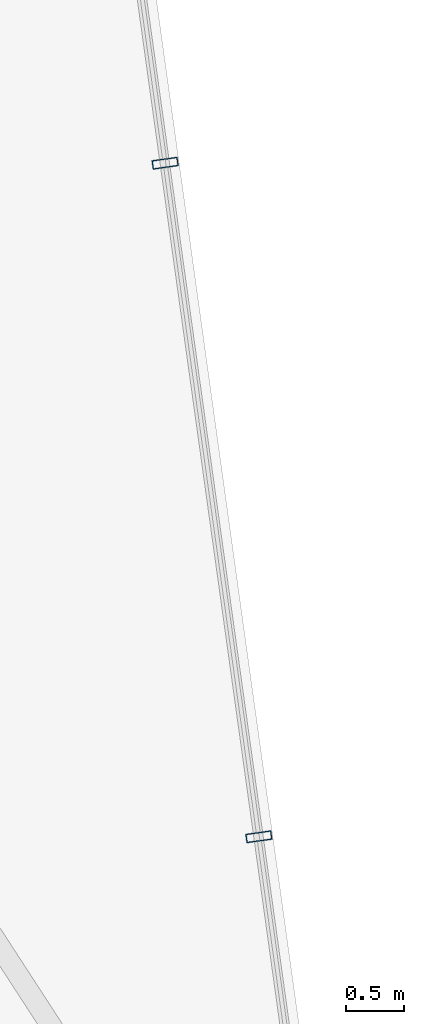
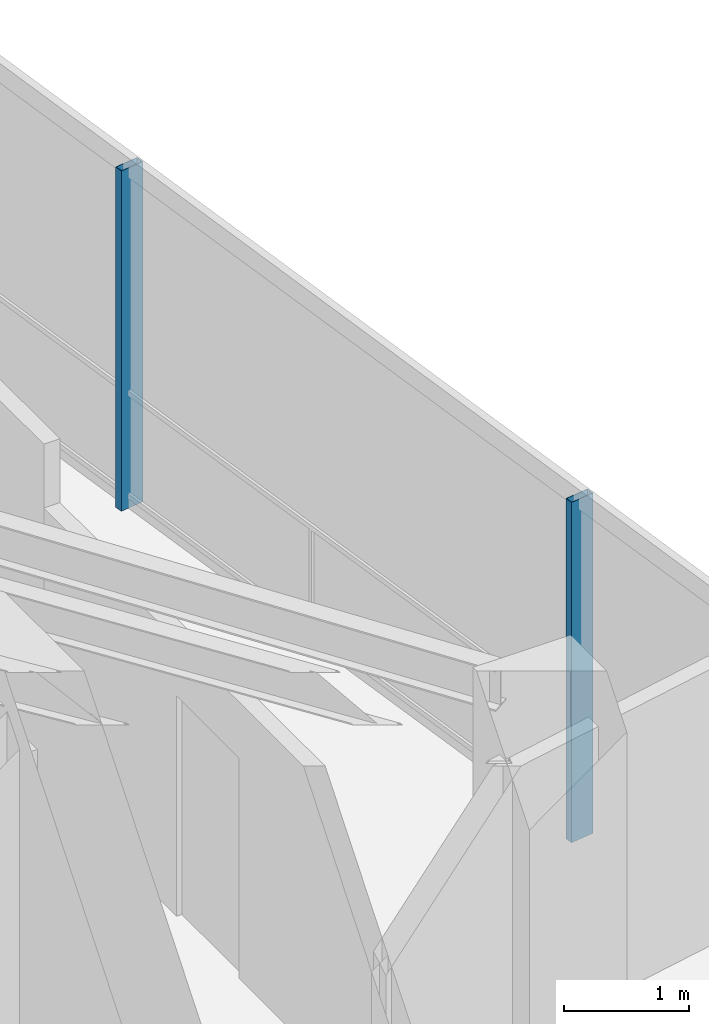
# One storey, part 11 of 19: 2 members, 1 element without a shape of its own.
"""IFC4 building model written with IfcOpenShell, lengths in metres."""

from ifc_helpers import new_model, si_unit, direction, frame, origin, origin_2d, place, context, subcontext, project, spatial, hollow_rectangle, extrude, material, layer, layer_set, material_profile, profile_set, type_object, element, aggregate, save


model = new_model("IFC4")

# Units and contexts
model_context = context("Model", 3, precision=1e-05, world=origin(), true_north=direction((0.0, 1.0)))
body_context = subcontext(model_context, "Body", "Model", "MODEL_VIEW")
ifc_project = project(units=[si_unit("LENGTHUNIT", "METRE"), si_unit("AREAUNIT", "SQUARE_METRE"), si_unit("VOLUMEUNIT", "CUBIC_METRE"), si_unit("PLANEANGLEUNIT", "RADIAN"), si_unit("MASSUNIT", "GRAM", prefix="KILO")], contexts=[model_context])

# Site, building, storey
site_placement = place(None, origin())
site = spatial("IfcSite", under=ifc_project, at=site_placement, CompositionType="ELEMENT")
building_placement = place(site_placement, origin())
building = spatial("IfcBuilding", under=site, at=building_placement, Name="Qarnah Convention Tower", CompositionType="ELEMENT")
storey_placement = place(building_placement, frame((0.0, 0.0, 209.39990234375)))
storey = spatial("IfcBuildingStorey", under=building, at=storey_placement, Name="L56", CompositionType="ELEMENT", Elevation=209.39990234375)

# Curtain wall, members
ifc_material_1 = material(Name="Tempered Low-E dark glass", Category="glass")
ifc_layer = layer(ifc_material_1, 0.174072265625)
ifc_layer_set = layer_set([ifc_layer], Name="Tempered Low-E dark glass")
curtain_wall_type = type_object("IfcCurtainWallType", Name="CWS-04", PredefinedType="NOTDEFINED", material=ifc_layer_set)
curtain_wall_placement = place(storey_placement, origin())
curtain_wall = element("IfcCurtainWall", 1, at=curtain_wall_placement, inside=storey, type_object=curtain_wall_type, Name="L56 unitised curtain wall CW-L56-F1", PredefinedType="NOTDEFINED")
ifc_material_2 = material(Name="Black anodised aluminium", Category="aluminium")
ifc_material_profile = material_profile(ifc_material_2, hollow_rectangle(XDim=0.074951171875, YDim=0.219970703125, WallThickness=0.0048828125, at=origin_2d()), Name="MUL-75X220")
ifc_profile_set = profile_set([ifc_material_profile], Name="Black anodised aluminium")
member_type = type_object("IfcMemberType", Name="MUL-T4", PredefinedType="MULLION", material=ifc_profile_set)
member_1_placement = place(storey_placement, frame((51.7177734375, 37.2373046875, 0.0), z_axis=(0.0, 0.0, 1.0), x_axis=(0.13780482888, -0.990459403074, 0.0)))
member_1 = element("IfcMember", 2, at=member_1_placement, type_object=member_type, Name="CW-L56-F1 mullion 2", PredefinedType="MULLION", context=body_context, shape_type="SweptSolid", body=[
    extrude(hollow_rectangle(XDim=0.074951171875, YDim=0.219970703125, WallThickness=0.0048828125, at=origin_2d()), origin(), (0.0, 0.0, 1.0), 3.320068359375),
])
member_2_placement = place(storey_placement, frame((52.524658203125, 31.4384765625, 0.0), z_axis=(0.0, 0.0, 1.0), x_axis=(0.13780482888, -0.990459403074, 0.0)))
member_2 = element("IfcMember", 3, at=member_2_placement, type_object=member_type, Name="CW-L56-F1 mullion 3", PredefinedType="MULLION", context=body_context, shape_type="SweptSolid", body=[
    extrude(hollow_rectangle(XDim=0.074951171875, YDim=0.219970703125, WallThickness=0.0048828125, at=origin_2d()), origin(), (0.0, 0.0, 1.0), 3.320068359375),
])
aggregate(curtain_wall, [member_1, member_2])

save(model, "model.ifc")
